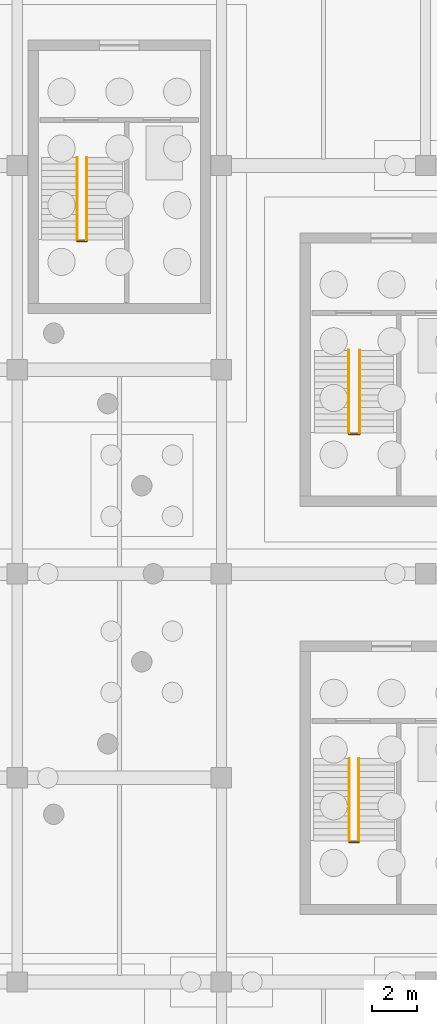
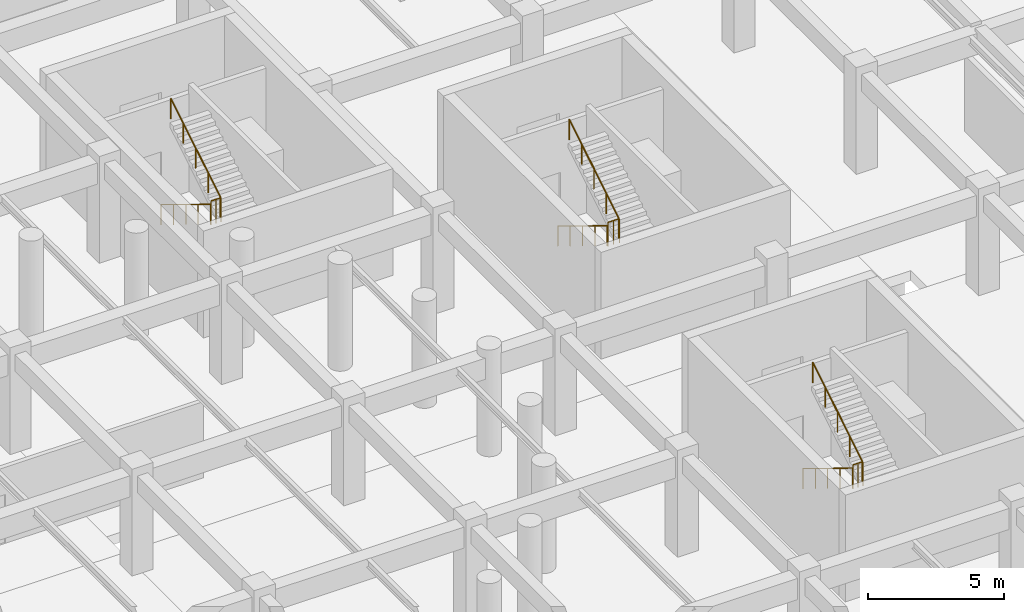
# One storey, part 26 of 27: 9 railings.
"""IFC4 building model written with IfcOpenShell, lengths in metres."""

from ifc_helpers import new_model, si_unit, direction, frame, origin, origin_2d, place, context, subcontext, project, spatial, circle, extrude, material, type_object, element, save


model = new_model("IFC4")

# Units and contexts
model_context = context("Model", 3, precision=1e-05, world=origin(), true_north=direction((0.0, 1.0)))
body_context = subcontext(model_context, "Body", "Model", "MODEL_VIEW")
ifc_project = project(units=[si_unit("LENGTHUNIT", "METRE"), si_unit("AREAUNIT", "SQUARE_METRE"), si_unit("VOLUMEUNIT", "CUBIC_METRE"), si_unit("PLANEANGLEUNIT", "RADIAN"), si_unit("MASSUNIT", "GRAM", prefix="KILO")], contexts=[model_context])

# Site, building, storey
site_placement = place(None, origin())
site = spatial("IfcSite", under=ifc_project, at=site_placement, CompositionType="ELEMENT")
building_placement = place(site_placement, origin())
building = spatial("IfcBuilding", under=site, at=building_placement, Name="Dornveld Trade and Exhibition Forum", CompositionType="ELEMENT")
storey_placement = place(building_placement, frame((0.0, 0.0, -4.800048828125)))
storey = spatial("IfcBuildingStorey", under=building, at=storey_placement, Name="B1", CompositionType="ELEMENT", Elevation=-4.800048828125)

# Railings
ifc_material_1 = material(Name="Brushed stainless steel handrail", Category="steel")
railing_type_1 = type_object("IfcRailingType", Name="RL-HAND-920", PredefinedType="HANDRAIL", material=ifc_material_1)
railing_1_placement = place(storey_placement, frame((140.60498046875, 90.85009765625, 0.17138671875)))
element("IfcRailing", 1, at=railing_1_placement, inside=storey, type_object=railing_type_1, Name="ST-01-B1 flight 1 handrail", PredefinedType="HANDRAIL", context=body_context, shape_type="SweptSolid", body=[
    extrude(circle(Radius=0.02099609375, at=origin_2d()), frame((0.0, 0.0, 0.89892578125), z_axis=(0.0, -0.852840387347, 0.522171689878), x_axis=(1.0, 0.0, 0.0)), (0.0, 0.0, 1.0), 4.268310546875),
    extrude(circle(Radius=0.01806640625, at=origin_2d()), origin(), (0.0, 0.0, 1.0), 0.8779296875),
    extrude(circle(Radius=0.01806640625, at=origin_2d()), frame((0.0, -0.91015625, 0.55712890625)), (0.0, 0.0, 1.0), 0.8779296875),
    extrude(circle(Radius=0.01806640625, at=origin_2d()), frame((0.0, -1.820068359375, 1.1142578125)), (0.0, 0.0, 1.0), 0.8779296875),
    extrude(circle(Radius=0.01806640625, at=origin_2d()), frame((0.0, -2.72998046875, 1.671630859375)), (0.0, 0.0, 1.0), 0.8779296875),
    extrude(circle(Radius=0.01806640625, at=origin_2d()), frame((0.0, -3.64013671875, 2.228759765625)), (0.0, 0.0, 1.0), 0.8779296875),
])
railing_2_placement = place(storey_placement, frame((141.094970703125, 87.2099609375, 2.571533203125)))
element("IfcRailing", 2, at=railing_2_placement, inside=storey, type_object=railing_type_1, Name="ST-01-B1 flight 2 handrail", PredefinedType="HANDRAIL", context=body_context, shape_type="SweptSolid", body=[
    extrude(circle(Radius=0.02099609375, at=origin_2d()), frame((0.0, 0.0, 0.89892578125), z_axis=(0.0, 0.852865859571, 0.52213008492), x_axis=(-1.0, 0.0, 0.0)), (0.0, 0.0, 1.0), 4.26806640625),
    extrude(circle(Radius=0.01806640625, at=origin_2d()), origin(), (0.0, 0.0, 1.0), 0.8779296875),
    extrude(circle(Radius=0.01806640625, at=origin_2d()), frame((0.0, 0.91015625, 0.55712890625)), (0.0, 0.0, 1.0), 0.8779296875),
    extrude(circle(Radius=0.01806640625, at=origin_2d()), frame((0.0, 1.820068359375, 1.1142578125)), (0.0, 0.0, 1.0), 0.8779296875),
    extrude(circle(Radius=0.01806640625, at=origin_2d()), frame((0.0, 2.72998046875, 1.67138671875)), (0.0, 0.0, 1.0), 0.8779296875),
    extrude(circle(Radius=0.01806640625, at=origin_2d()), frame((0.0, 3.64013671875, 2.228515625)), (0.0, 0.0, 1.0), 0.8779296875),
])
railing_3_placement = place(storey_placement, frame((128.639892578125, 99.35009765625, 0.17138671875)))
element("IfcRailing", 3, at=railing_3_placement, inside=storey, type_object=railing_type_1, Name="ST-02-B1 flight 1 handrail", PredefinedType="HANDRAIL", context=body_context, shape_type="SweptSolid", body=[
    extrude(circle(Radius=0.02099609375, at=origin_2d()), frame((0.0, 0.0, 0.89892578125), z_axis=(0.0, -0.852840387347, 0.522171689878), x_axis=(1.0, 0.0, 0.0)), (0.0, 0.0, 1.0), 4.268310546875),
    extrude(circle(Radius=0.01806640625, at=origin_2d()), origin(), (0.0, 0.0, 1.0), 0.8779296875),
    extrude(circle(Radius=0.01806640625, at=origin_2d()), frame((0.0, -0.91015625, 0.55712890625)), (0.0, 0.0, 1.0), 0.8779296875),
    extrude(circle(Radius=0.01806640625, at=origin_2d()), frame((0.0, -1.820068359375, 1.1142578125)), (0.0, 0.0, 1.0), 0.8779296875),
    extrude(circle(Radius=0.01806640625, at=origin_2d()), frame((0.0, -2.72998046875, 1.671630859375)), (0.0, 0.0, 1.0), 0.8779296875),
    extrude(circle(Radius=0.01806640625, at=origin_2d()), frame((0.0, -3.64013671875, 2.228759765625)), (0.0, 0.0, 1.0), 0.8779296875),
])
railing_4_placement = place(storey_placement, frame((129.06005859375, 95.7099609375, 2.571533203125)))
element("IfcRailing", 4, at=railing_4_placement, inside=storey, type_object=railing_type_1, Name="ST-02-B1 flight 2 handrail", PredefinedType="HANDRAIL", context=body_context, shape_type="SweptSolid", body=[
    extrude(circle(Radius=0.02099609375, at=origin_2d()), frame((0.0, 0.0, 0.89892578125), z_axis=(0.0, 0.852865859571, 0.52213008492), x_axis=(-1.0, 0.0, 0.0)), (0.0, 0.0, 1.0), 4.26806640625),
    extrude(circle(Radius=0.01806640625, at=origin_2d()), origin(), (0.0, 0.0, 1.0), 0.8779296875),
    extrude(circle(Radius=0.01806640625, at=origin_2d()), frame((0.0, 0.91015625, 0.55712890625)), (0.0, 0.0, 1.0), 0.8779296875),
    extrude(circle(Radius=0.01806640625, at=origin_2d()), frame((0.0, 1.820068359375, 1.1142578125)), (0.0, 0.0, 1.0), 0.8779296875),
    extrude(circle(Radius=0.01806640625, at=origin_2d()), frame((0.0, 2.72998046875, 1.67138671875)), (0.0, 0.0, 1.0), 0.8779296875),
    extrude(circle(Radius=0.01806640625, at=origin_2d()), frame((0.0, 3.64013671875, 2.228515625)), (0.0, 0.0, 1.0), 0.8779296875),
])
railing_5_placement = place(storey_placement, frame((140.639892578125, 72.85009765625, 0.17138671875)))
element("IfcRailing", 5, at=railing_5_placement, inside=storey, type_object=railing_type_1, Name="ST-08-B1 flight 1 handrail", PredefinedType="HANDRAIL", context=body_context, shape_type="SweptSolid", body=[
    extrude(circle(Radius=0.02099609375, at=origin_2d()), frame((0.0, 0.0, 0.89892578125), z_axis=(0.0, -0.852840387347, 0.522171689878), x_axis=(1.0, 0.0, 0.0)), (0.0, 0.0, 1.0), 4.268310546875),
    extrude(circle(Radius=0.01806640625, at=origin_2d()), origin(), (0.0, 0.0, 1.0), 0.8779296875),
    extrude(circle(Radius=0.01806640625, at=origin_2d()), frame((0.0, -0.91015625, 0.55712890625)), (0.0, 0.0, 1.0), 0.8779296875),
    extrude(circle(Radius=0.01806640625, at=origin_2d()), frame((0.0, -1.820068359375, 1.1142578125)), (0.0, 0.0, 1.0), 0.8779296875),
    extrude(circle(Radius=0.01806640625, at=origin_2d()), frame((0.0, -2.72998046875, 1.671630859375)), (0.0, 0.0, 1.0), 0.8779296875),
    extrude(circle(Radius=0.01806640625, at=origin_2d()), frame((0.0, -3.64013671875, 2.228759765625)), (0.0, 0.0, 1.0), 0.8779296875),
])
railing_6_placement = place(storey_placement, frame((141.06005859375, 69.2099609375, 2.571533203125)))
element("IfcRailing", 6, at=railing_6_placement, inside=storey, type_object=railing_type_1, Name="ST-08-B1 flight 2 handrail", PredefinedType="HANDRAIL", context=body_context, shape_type="SweptSolid", body=[
    extrude(circle(Radius=0.02099609375, at=origin_2d()), frame((0.0, 0.0, 0.89892578125), z_axis=(0.0, 0.852865859571, 0.52213008492), x_axis=(-1.0, 0.0, 0.0)), (0.0, 0.0, 1.0), 4.26806640625),
    extrude(circle(Radius=0.01806640625, at=origin_2d()), origin(), (0.0, 0.0, 1.0), 0.8779296875),
    extrude(circle(Radius=0.01806640625, at=origin_2d()), frame((0.0, 0.91015625, 0.55712890625)), (0.0, 0.0, 1.0), 0.8779296875),
    extrude(circle(Radius=0.01806640625, at=origin_2d()), frame((0.0, 1.820068359375, 1.1142578125)), (0.0, 0.0, 1.0), 0.8779296875),
    extrude(circle(Radius=0.01806640625, at=origin_2d()), frame((0.0, 2.72998046875, 1.67138671875)), (0.0, 0.0, 1.0), 0.8779296875),
    extrude(circle(Radius=0.01806640625, at=origin_2d()), frame((0.0, 3.64013671875, 2.228515625)), (0.0, 0.0, 1.0), 0.8779296875),
])
ifc_material_2 = material(Name="Painted steel S355J2 stair-well guard", Category="steel")
railing_type_2 = type_object("IfcRailingType", Name="RL-WELL-110", PredefinedType="GUARDRAIL", material=ifc_material_2)
railing_7_placement = place(storey_placement, frame((140.60498046875, 87.159912109375, 2.400146484375)))
element("IfcRailing", 7, at=railing_7_placement, inside=storey, type_object=railing_type_2, Name="ST-01-B1 half-landing well guard", PredefinedType="GUARDRAIL", context=body_context, shape_type="SweptSolid", body=[
    extrude(circle(Radius=0.02392578125, at=origin_2d()), frame((0.0, 0.0, 1.076171875), z_axis=(1.0, 0.0, 0.0), x_axis=(0.0, 1.0, 0.0)), (0.0, 0.0, 1.0), 0.489990234375),
    extrude(circle(Radius=0.02001953125, at=origin_2d()), origin(), (0.0, 0.0, 1.0), 1.052001953125),
    extrude(circle(Radius=0.02001953125, at=origin_2d()), frame((0.2451171875, 0.0, 0.0)), (0.0, 0.0, 1.0), 1.052001953125),
    extrude(circle(Radius=0.02001953125, at=origin_2d()), frame((0.489990234375, 0.0, 0.0)), (0.0, 0.0, 1.0), 1.052001953125),
])
for number, where, name in (
    (8, (128.639892578125, 95.659912109375, 2.400146484375), "ST-02-B1 half-landing well guard"),
    (9, (140.639892578125, 69.159912109375, 2.400146484375), "ST-08-B1 half-landing well guard"),
):
    element("IfcRailing", number, at=place(storey_placement, frame(where)), inside=storey, type_object=railing_type_2, Name=name, PredefinedType="GUARDRAIL", context=body_context, shape_type="SweptSolid", body=[
        extrude(circle(Radius=0.02392578125, at=origin_2d()), frame((0.0, 0.0, 1.076171875), z_axis=(1.0, 0.0, 0.0), x_axis=(0.0, 1.0, 0.0)), (0.0, 0.0, 1.0), 0.420166015625),
        extrude(circle(Radius=0.02001953125, at=origin_2d()), origin(), (0.0, 0.0, 1.0), 1.052001953125),
        extrude(circle(Radius=0.02001953125, at=origin_2d()), frame((0.2099609375, 0.0, 0.0)), (0.0, 0.0, 1.0), 1.052001953125),
        extrude(circle(Radius=0.02001953125, at=origin_2d()), frame((0.420166015625, 0.0, 0.0)), (0.0, 0.0, 1.0), 1.052001953125),
    ])

save(model, "model.ifc")
